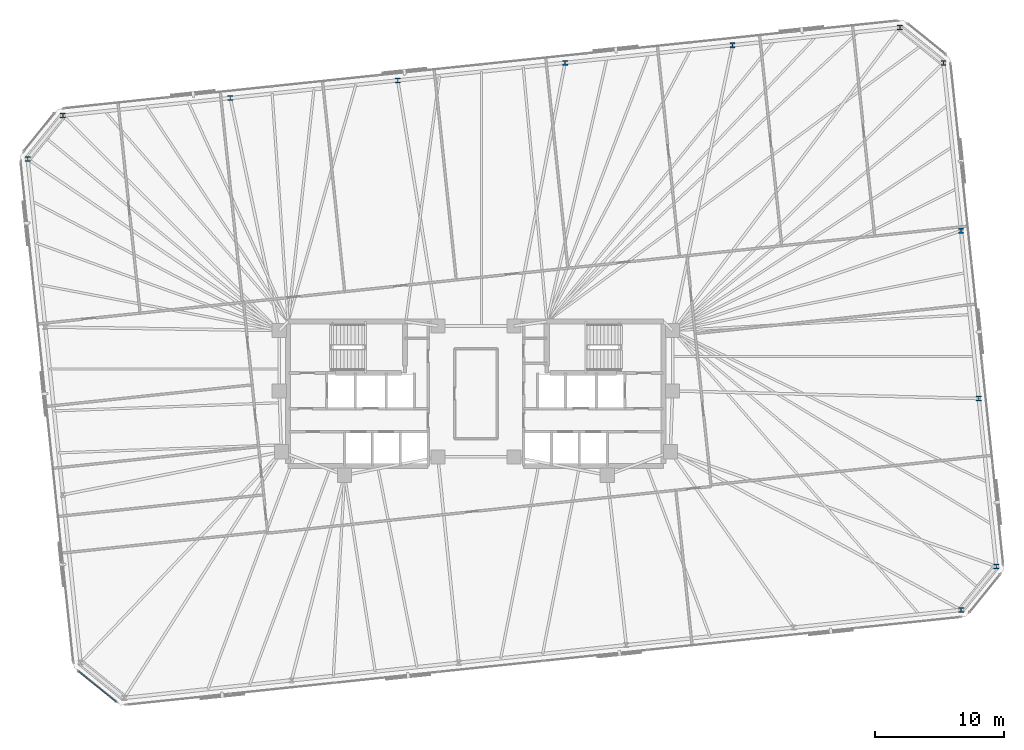
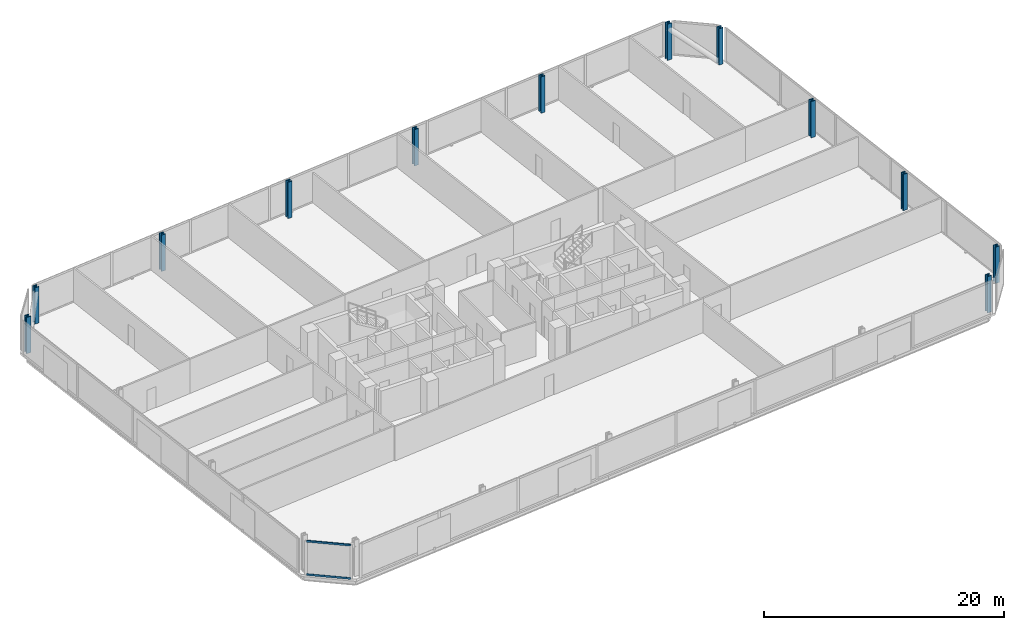
# One storey, part 5 of 18: 12 columns, 2 members, 1 element without a shape of its own.
"""IFC4 building model written with IfcOpenShell, lengths in metres."""

from ifc_helpers import new_model, si_unit, direction, frame, origin, origin_2d, place, context, subcontext, project, spatial, rectangle, i_section, extrude, material, material_profile, profile_set, type_object, element, aggregate, save


model = new_model("IFC4")

# Units and contexts
model_context = context("Model", 3, precision=1e-05, world=origin(), true_north=direction((0.0, 1.0)))
body_context = subcontext(model_context, "Body", "Model", "MODEL_VIEW")
ifc_project = project(units=[si_unit("LENGTHUNIT", "METRE"), si_unit("AREAUNIT", "SQUARE_METRE"), si_unit("VOLUMEUNIT", "CUBIC_METRE"), si_unit("PLANEANGLEUNIT", "RADIAN"), si_unit("MASSUNIT", "GRAM", prefix="KILO")], contexts=[model_context])

# Site, building, storey
site_placement = place(None, origin())
site = spatial("IfcSite", under=ifc_project, at=site_placement, CompositionType="ELEMENT")
building_placement = place(site_placement, origin())
building = spatial("IfcBuilding", under=site, at=building_placement, Name="Menara Jurai Vektor", CompositionType="ELEMENT")
storey_placement = place(building_placement, frame((0.0, 0.0, 105.89990234375)))
storey = spatial("IfcBuildingStorey", under=building, at=storey_placement, Name="L26", CompositionType="ELEMENT", Elevation=105.89990234375)

# Columns
ifc_material_1 = material(Name="Steel S460", Category="steel")
ifc_material_profile_1 = material_profile(ifc_material_1, i_section(OverallWidth=0.4130859375, OverallDepth=0.39794921875, WebThickness=0.055908203125, FlangeThickness=0.089111328125, FilletRadius=0.014892578125, at=origin_2d()), Name="HD 400x744")
ifc_profile_set_1 = profile_set([ifc_material_profile_1], Name="Steel S460")
column_type = type_object("IfcColumnType", Name="STR-EXO-BLK2", PredefinedType="COLUMN", material=ifc_profile_set_1)
for number, where, z_axis, x_axis, name in (
    (1, (37.621826171875, -16.76513671875, 0.0), (0.0, 0.0, 1.0), (1.0, 0.0, 0.0), "Exoskeleton Column BLK2-S6 L26"),
    (2, (40.356201171875, -13.388671875, 0.0), (0.0, 0.0, 1.0), (1.0, 0.0, 0.0), "Exoskeleton Column BLK2-E1 L26"),
    (3, (38.98828125, -0.375, 0.0), (0.0, 0.0, 1.0), (1.0, 0.0, 0.0), "Exoskeleton Column BLK2-E2 L26"),
    (4, (37.62060546875, 12.638427734375, 0.0), (0.0, 0.0, 1.0), (1.0, 0.0, 0.0), "Exoskeleton Column BLK2-E3 L26"),
    (5, (36.252685546875, 25.65185546875, 0.0), (0.0, 0.0, 1.0), (1.0, 0.0, 0.0), "Exoskeleton Column BLK2-E4 L26"),
    (6, (32.876220703125, 28.38623046875, 0.0), (0.0, 0.0, 1.0), (1.0, 0.0, 0.0), "Exoskeleton Column BLK2-N1 L26"),
    (7, (19.896728515625, 27.02197265625, 0.0), (0.0, 0.0, 1.0), (1.0, 0.0, 0.0), "Exoskeleton Column BLK2-N2 L26"),
    (8, (6.9169921875, 25.65771484375, 0.0), (0.0, 0.0, 1.0), (1.0, 0.0, 0.0), "Exoskeleton Column BLK2-N3 L26"),
    (9, (-6.0625, 24.29345703125, 0.0), (0.0, 0.0, 1.0), (1.0, 0.0, 0.0), "Exoskeleton Column BLK2-N4 L26"),
    (10, (-19.042236328125, 22.929443359375, 0.0), (0.0, 0.0, 1.0), (1.0, 0.0, 0.0), "Exoskeleton Column BLK2-N5 L26"),
    (11, (-32.02197265625, 21.565185546875, 0.0), (0.0, 0.0, 1.0), (1.0, 0.0, 0.0), "Exoskeleton Column BLK2-N6 L26"),
    (12, (-34.756103515625, 18.188720703125, 0.0), (0.0, 0.0, 1.0), (1.0, 0.0, 0.0), "Exoskeleton Column BLK2-W1 L26"),
):
    element("IfcColumn", number, at=place(storey_placement, frame(where, z_axis=z_axis, x_axis=x_axis)), inside=storey, type_object=column_type, Name=name, PredefinedType="COLUMN", context=body_context, shape_type="SweptSolid", body=[
        extrude(i_section(OverallWidth=0.4130859375, OverallDepth=0.39794921875, WebThickness=0.055908203125, FlangeThickness=0.089111328125, FilletRadius=0.014892578125, at=origin_2d()), origin(), (0.0, 0.0, 1.0), 3.7001953125),
    ])

# Curtain wall, members
ifc_material_2 = material(Name="Anodised Pale Aluminium & Low-E Double Glazing", Category="aluminium")
curtain_wall_type = type_object("IfcCurtainWallType", Name="CW-BLK2", PredefinedType="NOTDEFINED", material=ifc_material_2)
curtain_wall_placement = place(storey_placement, origin())
curtain_wall = element("IfcCurtainWall", 13, at=curtain_wall_placement, inside=storey, type_object=curtain_wall_type, Name="Unitised Curtain Wall L26 F08", PredefinedType="NOTDEFINED")
ifc_material_3 = material(Name="Anodised Pale Aluminium Transom", Category="aluminium")
ifc_material_profile_2 = material_profile(ifc_material_3, rectangle(XDim=0.090087890625, YDim=0.18505859375, at=origin_2d()), Name="ALU TRN 90x185")
ifc_profile_set_2 = profile_set([ifc_material_profile_2], Name="Anodised Pale Aluminium Transom")
member_type = type_object("IfcMemberType", Name="CW-BLK2-TRN", PredefinedType="USERDEFINED", material=ifc_profile_set_2)
member_1_placement = place(storey_placement, frame((-30.80078125, -21.525634765625, 0.045166015625), z_axis=(0.777128916205, -0.6293414396, 0.0), x_axis=(0.6293414396, 0.777128916205, 0.0)))
member_1 = element("IfcMember", 14, at=member_1_placement, type_object=member_type, Name="CW-02 transom 1.1", ObjectType="TRANSOM", PredefinedType="USERDEFINED", context=body_context, shape_type="SweptSolid", body=[
    extrude(rectangle(XDim=0.090087890625, YDim=0.18505859375, at=origin_2d()), origin(), (0.0, 0.0, 1.0), 3.726806640625),
])
member_2_placement = place(storey_placement, frame((-30.80078125, -21.525634765625, 3.43017578125), z_axis=(0.777128916205, -0.6293414396, 0.0), x_axis=(0.6293414396, 0.777128916205, 0.0)))
member_2 = element("IfcMember", 15, at=member_2_placement, type_object=member_type, Name="CW-02 transom 1.2", ObjectType="TRANSOM", PredefinedType="USERDEFINED", context=body_context, shape_type="SweptSolid", body=[
    extrude(rectangle(XDim=0.090087890625, YDim=0.18505859375, at=origin_2d()), origin(), (0.0, 0.0, 1.0), 3.726806640625),
])
aggregate(curtain_wall, [member_1, member_2])

save(model, "model.ifc")
